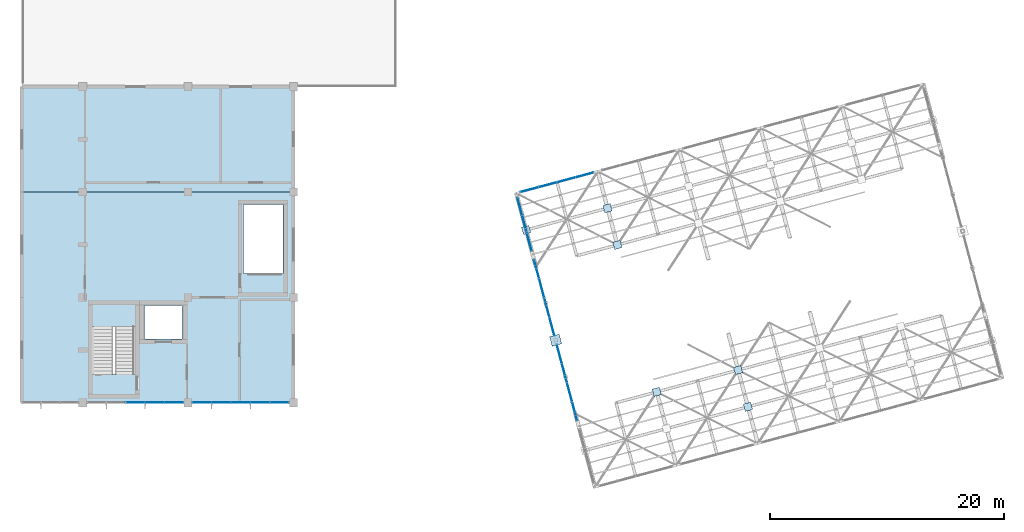
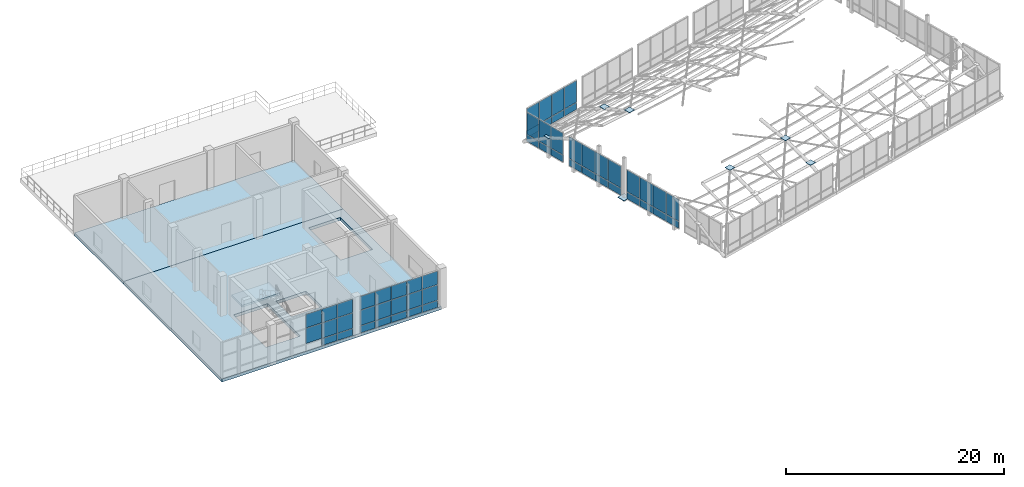
# One storey, part 23 of 29: 60 plates, 3 slabs, 7 elements without a shape of their own.
"""IFC4 building model written with IfcOpenShell, lengths in metres."""

from ifc_helpers import new_model, si_unit, direction, frame, origin, origin_2d, place, context, subcontext, project, spatial, polyline, rectangle, outline, extrude, material, layer, layer_set, type_object, element, aggregate, save


model = new_model("IFC4")

# Units and contexts
model_context = context("Model", 3, precision=1e-05, world=origin(), true_north=direction((0.0, 1.0)))
body_context = subcontext(model_context, "Body", "Model", "MODEL_VIEW")
ifc_project = project(units=[si_unit("LENGTHUNIT", "METRE"), si_unit("AREAUNIT", "SQUARE_METRE"), si_unit("VOLUMEUNIT", "CUBIC_METRE"), si_unit("PLANEANGLEUNIT", "RADIAN"), si_unit("MASSUNIT", "GRAM", prefix="KILO")], contexts=[model_context])

# Site, building, storey
site_placement = place(None, origin())
site = spatial("IfcSite", under=ifc_project, at=site_placement, CompositionType="ELEMENT")
building_placement = place(site_placement, origin())
building = spatial("IfcBuilding", under=site, at=building_placement, Name="Ventoquebrada Cableway Terminal", CompositionType="ELEMENT")
storey_placement = place(building_placement, frame((0.0, 0.0, 18.89990234375)))
storey = spatial("IfcBuildingStorey", under=building, at=storey_placement, Name="L04", CompositionType="ELEMENT", Elevation=18.89990234375)

# Plate
ifc_material_1 = material(Name="Steel ASTM A572 Grade 50", Category="steel")
ifc_layer_1 = layer(ifc_material_1, 0.050048828125)
ifc_layer_set_1 = layer_set([ifc_layer_1], Name="Steel ASTM A572 Grade 50")
plate_type_1 = type_object("IfcPlateType", Name="BP-PL01", PredefinedType="SHEET", material=ifc_layer_set_1)
plate_1_placement = place(storey_placement, frame((48.613037109375, 82.341064453125, 1.10009765625), z_axis=(0.0, 0.0, 1.0), x_axis=(0.965925826289, 0.258819045103, 0.0)))
element("IfcPlate", 1, at=plate_1_placement, inside=storey, type_object=plate_type_1, Name="Heavy steel base plate BP-01", PredefinedType="SHEET", context=body_context, shape_type="SweptSolid", body=[
    extrude(rectangle(XDim=0.85009765625, YDim=0.85009765625, at=origin_2d()), origin(), (0.0, 0.0, 1.0), 0.050048828125),
])

# Curtain wall, plates
ifc_material_2 = material(Name="Anodized thermally-broken aluminium", Category="aluminium")
ifc_layer_2 = layer(ifc_material_2, 0.159912109375)
ifc_layer_set_2 = layer_set([ifc_layer_2], Name="Anodized thermally-broken aluminium")
curtain_wall_type_1 = type_object("IfcCurtainWallType", Name="CW-T26", PredefinedType="USERDEFINED", material=ifc_layer_set_2)
curtain_wall_1_placement = place(storey_placement, origin())
curtain_wall_1 = element("IfcCurtainWall", 2, at=curtain_wall_1_placement, inside=storey, type_object=curtain_wall_type_1, Name="Unitised glazed curtain wall CW-061", ObjectType="UNITISED CURTAIN WALL", PredefinedType="USERDEFINED")
ifc_material_3 = material(Name="Double low-e laminated safety glazing", Category="glass")
ifc_layer_3 = layer(ifc_material_3, 0.031982421875)
ifc_layer_set_3 = layer_set([ifc_layer_3], Name="Double low-e laminated safety glazing")
plate_type_2 = type_object("IfcPlateType", Name="CWP-GL1", PredefinedType="CURTAIN_PANEL", material=ifc_layer_set_3)
plate_2_placement = place(storey_placement, frame((12.699951171875, 77.0, 2.626953125), z_axis=(0.0, 0.0, 1.0), x_axis=(1.0, 0.0, 0.0)))
plate_2 = element("IfcPlate", 3, at=plate_2_placement, type_object=plate_type_2, Name="Vision glazing panel PN-0611", PredefinedType="CURTAIN_PANEL", context=body_context, shape_type="SweptSolid", body=[
    extrude(rectangle(XDim=1.614013671875, YDim=0.031982421875, at=origin_2d()), origin(), (0.0, 0.0, 1.0), 1.498046875),
])
plate_3_placement = place(storey_placement, frame((14.35791015625, 77.0, 0.879638671875), z_axis=(0.0, 0.0, 1.0), x_axis=(1.0, 0.0, 0.0)))
plate_3 = element("IfcPlate", 4, at=plate_3_placement, type_object=plate_type_2, Name="Vision glazing panel PN-0613", PredefinedType="CURTAIN_PANEL", context=body_context, shape_type="SweptSolid", body=[
    extrude(rectangle(XDim=1.614013671875, YDim=0.031982421875, at=origin_2d()), origin(), (0.0, 0.0, 1.0), 1.68896484375),
])
plate_4_placement = place(storey_placement, frame((15.998046875, 77.0, 2.626953125), z_axis=(0.0, 0.0, 1.0), x_axis=(1.0, 0.0, 0.0)))
plate_4 = element("IfcPlate", 5, at=plate_4_placement, type_object=plate_type_2, Name="Vision glazing panel PN-0617", PredefinedType="CURTAIN_PANEL", context=body_context, shape_type="SweptSolid", body=[
    extrude(rectangle(XDim=1.5791015625, YDim=0.031982421875, at=origin_2d()), origin(), (0.0, 0.0, 1.0), 1.498046875),
])

curtain_wall_2_placement = place(storey_placement, origin())
curtain_wall_2 = element("IfcCurtainWall", 6, at=curtain_wall_2_placement, inside=storey, type_object=curtain_wall_type_1, Name="Unitised glazed curtain wall CW-062", ObjectType="UNITISED CURTAIN WALL", PredefinedType="USERDEFINED")
plate_5_placement = place(storey_placement, frame((18.40087890625, 77.0, 2.626953125), z_axis=(0.0, 0.0, 1.0), x_axis=(1.0, 0.0, 0.0)))
plate_5 = element("IfcPlate", 7, at=plate_5_placement, type_object=plate_type_2, Name="Vision glazing panel PN-0620", PredefinedType="CURTAIN_PANEL", context=body_context, shape_type="SweptSolid", body=[
    extrude(rectangle(XDim=1.5791015625, YDim=0.031982421875, at=origin_2d()), origin(), (0.0, 0.0, 1.0), 1.498046875),
])
plate_6_placement = place(storey_placement, frame((20.0419921875, 77.0, 0.879638671875), z_axis=(0.0, 0.0, 1.0), x_axis=(1.0, 0.0, 0.0)))
plate_6 = element("IfcPlate", 8, at=plate_6_placement, type_object=plate_type_2, Name="Vision glazing panel PN-0622", PredefinedType="CURTAIN_PANEL", context=body_context, shape_type="SweptSolid", body=[
    extrude(rectangle(XDim=1.614013671875, YDim=0.031982421875, at=origin_2d()), origin(), (0.0, 0.0, 1.0), 1.68896484375),
])
plate_7_placement = place(storey_placement, frame((21.699951171875, 77.0, 2.626953125), z_axis=(0.0, 0.0, 1.0), x_axis=(1.0, 0.0, 0.0)))
plate_7 = element("IfcPlate", 9, at=plate_7_placement, type_object=plate_type_2, Name="Vision glazing panel PN-0626", PredefinedType="CURTAIN_PANEL", context=body_context, shape_type="SweptSolid", body=[
    extrude(rectangle(XDim=1.614013671875, YDim=0.031982421875, at=origin_2d()), origin(), (0.0, 0.0, 1.0), 1.498046875),
])
plate_8_placement = place(storey_placement, frame((23.35791015625, 77.0, 0.879638671875), z_axis=(0.0, 0.0, 1.0), x_axis=(1.0, 0.0, 0.0)))
plate_8 = element("IfcPlate", 10, at=plate_8_placement, type_object=plate_type_2, Name="Vision glazing panel PN-0628", PredefinedType="CURTAIN_PANEL", context=body_context, shape_type="SweptSolid", body=[
    extrude(rectangle(XDim=1.614013671875, YDim=0.031982421875, at=origin_2d()), origin(), (0.0, 0.0, 1.0), 1.68896484375),
])
plate_9_placement = place(storey_placement, frame((24.998046875, 77.0, 2.626953125), z_axis=(0.0, 0.0, 1.0), x_axis=(1.0, 0.0, 0.0)))
plate_9 = element("IfcPlate", 11, at=plate_9_placement, type_object=plate_type_2, Name="Vision glazing panel PN-0632", PredefinedType="CURTAIN_PANEL", context=body_context, shape_type="SweptSolid", body=[
    extrude(rectangle(XDim=1.5791015625, YDim=0.031982421875, at=origin_2d()), origin(), (0.0, 0.0, 1.0), 1.498046875),
])

ifc_layer_4 = layer(ifc_material_2, 0.159912109375)
ifc_layer_set_4 = layer_set([ifc_layer_4], Name="Anodized thermally-broken aluminium")
curtain_wall_type_2 = type_object("IfcCurtainWallType", Name="CW-T45", PredefinedType="USERDEFINED", material=ifc_layer_set_4)
curtain_wall_3_placement = place(storey_placement, origin())
curtain_wall_3 = element("IfcCurtainWall", 12, at=curtain_wall_3_placement, inside=storey, type_object=curtain_wall_type_2, Name="Unitised glazed curtain wall CW-138", ObjectType="UNITISED CURTAIN WALL", PredefinedType="USERDEFINED")
plate_10_placement = place(storey_placement, frame((49.510986328125, 96.0400390625, 1.97412109375), z_axis=(0.0, 0.0, 1.0), x_axis=(-0.96593486019, -0.258785327773, 0.0)))
plate_10 = element("IfcPlate", 13, at=plate_10_placement, type_object=plate_type_2, Name="Vision glazing panel PN-1450", PredefinedType="CURTAIN_PANEL", context=body_context, shape_type="SweptSolid", body=[
    extrude(rectangle(XDim=1.5810546875, YDim=0.031982421875, at=origin_2d()), origin(), (0.0, 0.0, 1.0), 2.416015625),
])
plate_11_placement = place(storey_placement, frame((46.388916015625, 95.2041015625, 1.97412109375), z_axis=(0.0, 0.0, 1.0), x_axis=(-0.96593486019, -0.258785327773, 0.0)))
plate_11 = element("IfcPlate", 14, at=plate_11_placement, type_object=plate_type_2, Name="Vision glazing panel PN-1454", PredefinedType="CURTAIN_PANEL", context=body_context, shape_type="SweptSolid", body=[
    extrude(rectangle(XDim=1.5458984375, YDim=0.031982421875, at=origin_2d()), origin(), (0.0, 0.0, 1.0), 2.416015625),
])

ifc_layer_5 = layer(ifc_material_2, 0.159912109375)
ifc_layer_set_5 = layer_set([ifc_layer_5], Name="Anodized thermally-broken aluminium")
curtain_wall_type_3 = type_object("IfcCurtainWallType", Name="CW-T47", PredefinedType="USERDEFINED", material=ifc_layer_set_5)
curtain_wall_4_placement = place(storey_placement, origin())
curtain_wall_4 = element("IfcCurtainWall", 15, at=curtain_wall_4_placement, inside=storey, type_object=curtain_wall_type_3, Name="Unitised glazed curtain wall CW-144", ObjectType="UNITISED CURTAIN WALL", PredefinedType="USERDEFINED")
plate_12_placement = place(storey_placement, frame((49.364013671875, 79.5400390625, 1.97412109375), z_axis=(0.0, 0.0, 1.0), x_axis=(0.258835903649, -0.965921308897, 0.0)))
plate_12 = element("IfcPlate", 16, at=plate_12_placement, type_object=plate_type_2, Name="Vision glazing panel PN-1496", PredefinedType="CURTAIN_PANEL", context=body_context, shape_type="SweptSolid", body=[
    extrude(rectangle(XDim=1.656005859375, YDim=0.031982421875, at=origin_2d()), origin(), (0.0, 0.0, 1.0), 2.416015625),
])
plate_13_placement = place(storey_placement, frame((50.239013671875, 76.27294921875, 1.97412109375), z_axis=(0.0, 0.0, 1.0), x_axis=(0.258835903649, -0.965921308897, 0.0)))
plate_13 = element("IfcPlate", 17, at=plate_13_placement, type_object=plate_type_2, Name="Vision glazing panel PN-1500", PredefinedType="CURTAIN_PANEL", context=body_context, shape_type="SweptSolid", body=[
    extrude(rectangle(XDim=1.62109375, YDim=0.031982421875, at=origin_2d()), origin(), (0.0, 0.0, 1.0), 2.416015625),
])

curtain_wall_5_placement = place(storey_placement, origin())
curtain_wall_5 = element("IfcCurtainWall", 18, at=curtain_wall_5_placement, inside=storey, type_object=curtain_wall_type_3, Name="Unitised glazed curtain wall CW-145", ObjectType="UNITISED CURTAIN WALL", PredefinedType="USERDEFINED")
plate_14_placement = place(storey_placement, frame((47.423095703125, 86.784912109375, 1.97412109375), z_axis=(0.0, 0.0, 1.0), x_axis=(0.258802186477, -0.965930343386, 0.0)))
plate_14 = element("IfcPlate", 19, at=plate_14_placement, type_object=plate_type_2, Name="Vision glazing panel PN-1504", PredefinedType="CURTAIN_PANEL", context=body_context, shape_type="SweptSolid", body=[
    extrude(rectangle(XDim=1.656005859375, YDim=0.031982421875, at=origin_2d()), origin(), (0.0, 0.0, 1.0), 2.416015625),
])
plate_15_placement = place(storey_placement, frame((48.298095703125, 83.51708984375, 1.97412109375), z_axis=(0.0, 0.0, 1.0), x_axis=(0.258802186477, -0.965930343386, 0.0)))
plate_15 = element("IfcPlate", 20, at=plate_15_placement, type_object=plate_type_2, Name="Vision glazing panel PN-1508", PredefinedType="CURTAIN_PANEL", context=body_context, shape_type="SweptSolid", body=[
    extrude(rectangle(XDim=1.62109375, YDim=0.031982421875, at=origin_2d()), origin(), (0.0, 0.0, 1.0), 2.416015625),
])

# Curtain wall, plate
ifc_layer_6 = layer(ifc_material_2, 0.159912109375)
ifc_layer_set_6 = layer_set([ifc_layer_6], Name="Anodized thermally-broken aluminium")
curtain_wall_type_4 = type_object("IfcCurtainWallType", Name="CW-T46", PredefinedType="USERDEFINED", material=ifc_layer_set_6)
curtain_wall_6_placement = place(storey_placement, origin())
curtain_wall_6 = element("IfcCurtainWall", 21, at=curtain_wall_6_placement, inside=storey, type_object=curtain_wall_type_4, Name="Unitised glazed curtain wall CW-146", ObjectType="UNITISED CURTAIN WALL", PredefinedType="USERDEFINED")
plate_16_placement = place(storey_placement, frame((45.9599609375, 92.241943359375, 1.97412109375), z_axis=(0.0, 0.0, 1.0), x_axis=(0.258970769183, -0.965885159172, 0.0)))
plate_16 = element("IfcPlate", 22, at=plate_16_placement, type_object=plate_type_2, Name="Vision glazing panel PN-1512", PredefinedType="CURTAIN_PANEL", context=body_context, shape_type="SweptSolid", body=[
    extrude(rectangle(XDim=1.555908203125, YDim=0.031982421875, at=origin_2d()), origin(), (0.0, 0.0, 1.0), 2.416015625),
])

# Plate
ifc_layer_7 = layer(ifc_material_3, 0.0380859375)
ifc_layer_set_7 = layer_set([ifc_layer_7], Name="Double low-e laminated safety glazing")
plate_type_3 = type_object("IfcPlateType", Name="CWP-GL2", PredefinedType="CURTAIN_PANEL", material=ifc_layer_set_7)
plate_17_placement = place(storey_placement, frame((12.699951171875, 77.0, 0.879638671875), z_axis=(0.0, 0.0, 1.0), x_axis=(1.0, 0.0, 0.0)))
plate_17 = element("IfcPlate", 23, at=plate_17_placement, type_object=plate_type_3, Name="Vision glazing panel PN-0610", PredefinedType="CURTAIN_PANEL", context=body_context, shape_type="SweptSolid", body=[
    extrude(rectangle(XDim=1.614013671875, YDim=0.0380859375, at=origin_2d()), origin(), (0.0, 0.0, 1.0), 1.68896484375),
])

plate_18_placement = place(storey_placement, frame((14.35791015625, 77.0, 2.626953125), z_axis=(0.0, 0.0, 1.0), x_axis=(1.0, 0.0, 0.0)))
plate_18 = element("IfcPlate", 24, at=plate_18_placement, type_object=plate_type_3, Name="Vision glazing panel PN-0614", PredefinedType="CURTAIN_PANEL", context=body_context, shape_type="SweptSolid", body=[
    extrude(rectangle(XDim=1.614013671875, YDim=0.0380859375, at=origin_2d()), origin(), (0.0, 0.0, 1.0), 1.498046875),
])

plate_19_placement = place(storey_placement, frame((15.998046875, 77.0, 0.879638671875), z_axis=(0.0, 0.0, 1.0), x_axis=(1.0, 0.0, 0.0)))
plate_19 = element("IfcPlate", 25, at=plate_19_placement, type_object=plate_type_3, Name="Vision glazing panel PN-0616", PredefinedType="CURTAIN_PANEL", context=body_context, shape_type="SweptSolid", body=[
    extrude(rectangle(XDim=1.5791015625, YDim=0.0380859375, at=origin_2d()), origin(), (0.0, 0.0, 1.0), 1.68896484375),
])

plate_20_placement = place(storey_placement, frame((18.40087890625, 77.0, 0.879638671875), z_axis=(0.0, 0.0, 1.0), x_axis=(1.0, 0.0, 0.0)))
plate_20 = element("IfcPlate", 26, at=plate_20_placement, type_object=plate_type_3, Name="Vision glazing panel PN-0619", PredefinedType="CURTAIN_PANEL", context=body_context, shape_type="SweptSolid", body=[
    extrude(rectangle(XDim=1.5791015625, YDim=0.0380859375, at=origin_2d()), origin(), (0.0, 0.0, 1.0), 1.68896484375),
])

plate_21_placement = place(storey_placement, frame((20.0419921875, 77.0, 2.626953125), z_axis=(0.0, 0.0, 1.0), x_axis=(1.0, 0.0, 0.0)))
plate_21 = element("IfcPlate", 27, at=plate_21_placement, type_object=plate_type_3, Name="Vision glazing panel PN-0623", PredefinedType="CURTAIN_PANEL", context=body_context, shape_type="SweptSolid", body=[
    extrude(rectangle(XDim=1.614013671875, YDim=0.0380859375, at=origin_2d()), origin(), (0.0, 0.0, 1.0), 1.498046875),
])

plate_22_placement = place(storey_placement, frame((21.699951171875, 77.0, 0.879638671875), z_axis=(0.0, 0.0, 1.0), x_axis=(1.0, 0.0, 0.0)))
plate_22 = element("IfcPlate", 28, at=plate_22_placement, type_object=plate_type_3, Name="Vision glazing panel PN-0625", PredefinedType="CURTAIN_PANEL", context=body_context, shape_type="SweptSolid", body=[
    extrude(rectangle(XDim=1.614013671875, YDim=0.0380859375, at=origin_2d()), origin(), (0.0, 0.0, 1.0), 1.68896484375),
])

plate_23_placement = place(storey_placement, frame((23.35791015625, 77.0, 2.626953125), z_axis=(0.0, 0.0, 1.0), x_axis=(1.0, 0.0, 0.0)))
plate_23 = element("IfcPlate", 29, at=plate_23_placement, type_object=plate_type_3, Name="Vision glazing panel PN-0629", PredefinedType="CURTAIN_PANEL", context=body_context, shape_type="SweptSolid", body=[
    extrude(rectangle(XDim=1.614013671875, YDim=0.0380859375, at=origin_2d()), origin(), (0.0, 0.0, 1.0), 1.498046875),
])

plate_24_placement = place(storey_placement, frame((24.998046875, 77.0, 0.879638671875), z_axis=(0.0, 0.0, 1.0), x_axis=(1.0, 0.0, 0.0)))
plate_24 = element("IfcPlate", 30, at=plate_24_placement, type_object=plate_type_3, Name="Vision glazing panel PN-0631", PredefinedType="CURTAIN_PANEL", context=body_context, shape_type="SweptSolid", body=[
    extrude(rectangle(XDim=1.5791015625, YDim=0.0380859375, at=origin_2d()), origin(), (0.0, 0.0, 1.0), 1.68896484375),
])

plate_25_placement = place(storey_placement, frame((51.06396484375, 96.4560546875, 1.97412109375), z_axis=(0.0, 0.0, 1.0), x_axis=(-0.96593486019, -0.258785327773, 0.0)))
plate_25 = element("IfcPlate", 31, at=plate_25_placement, type_object=plate_type_3, Name="Vision glazing panel PN-1448", PredefinedType="CURTAIN_PANEL", context=body_context, shape_type="SweptSolid", body=[
    extrude(rectangle(XDim=1.5458984375, YDim=0.0380859375, at=origin_2d()), origin(), (0.0, 0.0, 1.0), 2.416015625),
])

plate_26_placement = place(storey_placement, frame((47.94091796875, 95.6201171875, 1.97412109375), z_axis=(0.0, 0.0, 1.0), x_axis=(-0.96593486019, -0.258785327773, 0.0)))
plate_26 = element("IfcPlate", 32, at=plate_26_placement, type_object=plate_type_3, Name="Vision glazing panel PN-1452", PredefinedType="CURTAIN_PANEL", context=body_context, shape_type="SweptSolid", body=[
    extrude(rectangle(XDim=1.5810546875, YDim=0.0380859375, at=origin_2d()), origin(), (0.0, 0.0, 1.0), 2.416015625),
])

plate_27_placement = place(storey_placement, frame((48.928955078125, 81.1650390625, 1.97412109375), z_axis=(0.0, 0.0, 1.0), x_axis=(0.258835903649, -0.965921308897, 0.0)))
plate_27 = element("IfcPlate", 33, at=plate_27_placement, type_object=plate_type_3, Name="Vision glazing panel PN-1494", PredefinedType="CURTAIN_PANEL", context=body_context, shape_type="SweptSolid", body=[
    extrude(rectangle(XDim=1.62109375, YDim=0.0380859375, at=origin_2d()), origin(), (0.0, 0.0, 1.0), 2.416015625),
])

plate_28_placement = place(storey_placement, frame((49.803955078125, 77.89794921875, 1.97412109375), z_axis=(0.0, 0.0, 1.0), x_axis=(0.258835903649, -0.965921308897, 0.0)))
plate_28 = element("IfcPlate", 34, at=plate_28_placement, type_object=plate_type_3, Name="Vision glazing panel PN-1498", PredefinedType="CURTAIN_PANEL", context=body_context, shape_type="SweptSolid", body=[
    extrude(rectangle(XDim=1.656005859375, YDim=0.0380859375, at=origin_2d()), origin(), (0.0, 0.0, 1.0), 2.416015625),
])

plate_29_placement = place(storey_placement, frame((46.988037109375, 88.409912109375, 1.97412109375), z_axis=(0.0, 0.0, 1.0), x_axis=(0.258802186477, -0.965930343386, 0.0)))
plate_29 = element("IfcPlate", 35, at=plate_29_placement, type_object=plate_type_3, Name="Vision glazing panel PN-1502", PredefinedType="CURTAIN_PANEL", context=body_context, shape_type="SweptSolid", body=[
    extrude(rectangle(XDim=1.62109375, YDim=0.0380859375, at=origin_2d()), origin(), (0.0, 0.0, 1.0), 2.416015625),
])

plate_30_placement = place(storey_placement, frame((47.863037109375, 85.14208984375, 1.97412109375), z_axis=(0.0, 0.0, 1.0), x_axis=(0.258802186477, -0.965930343386, 0.0)))
plate_30 = element("IfcPlate", 36, at=plate_30_placement, type_object=plate_type_3, Name="Vision glazing panel PN-1506", PredefinedType="CURTAIN_PANEL", context=body_context, shape_type="SweptSolid", body=[
    extrude(rectangle(XDim=1.656005859375, YDim=0.0380859375, at=origin_2d()), origin(), (0.0, 0.0, 1.0), 2.416015625),
])

plate_31_placement = place(storey_placement, frame((45.551025390625, 93.77001953125, 1.97412109375), z_axis=(0.0, 0.0, 1.0), x_axis=(0.258970769183, -0.965885159172, 0.0)))
plate_31 = element("IfcPlate", 37, at=plate_31_placement, type_object=plate_type_3, Name="Vision glazing panel PN-1510", PredefinedType="CURTAIN_PANEL", context=body_context, shape_type="SweptSolid", body=[
    extrude(rectangle(XDim=1.52099609375, YDim=0.0380859375, at=origin_2d()), origin(), (0.0, 0.0, 1.0), 2.416015625),
])

plate_32_placement = place(storey_placement, frame((46.3701171875, 90.712890625, 1.97412109375), z_axis=(0.0, 0.0, 1.0), x_axis=(0.258970769183, -0.965885159172, 0.0)))
plate_32 = element("IfcPlate", 38, at=plate_32_placement, type_object=plate_type_3, Name="Vision glazing panel PN-1514", PredefinedType="CURTAIN_PANEL", context=body_context, shape_type="SweptSolid", body=[
    extrude(rectangle(XDim=1.52099609375, YDim=0.0380859375, at=origin_2d()), origin(), (0.0, 0.0, 1.0), 2.416015625),
])

ifc_material_4 = material(Name="Insulated aluminium spandrel cassette", Category="aluminium")
ifc_layer_8 = layer(ifc_material_4, 0.044921875)
ifc_layer_set_8 = layer_set([ifc_layer_8], Name="Insulated aluminium spandrel cassette")
plate_type_4 = type_object("IfcPlateType", Name="CWP-SP1", PredefinedType="CURTAIN_PANEL", material=ifc_layer_set_8)
plate_33_placement = place(storey_placement, frame((14.35791015625, 77.0, 0.06494140625), z_axis=(0.0, 0.0, 1.0), x_axis=(1.0, 0.0, 0.0)))
plate_33 = element("IfcPlate", 39, at=plate_33_placement, type_object=plate_type_4, Name="Insulated spandrel panel PN-0612", PredefinedType="CURTAIN_PANEL", context=body_context, shape_type="SweptSolid", body=[
    extrude(rectangle(XDim=1.614013671875, YDim=0.044921875, at=origin_2d()), origin(), (0.0, 0.0, 1.0), 0.756103515625),
])

plate_34_placement = place(storey_placement, frame((15.998046875, 77.0, 0.06494140625), z_axis=(0.0, 0.0, 1.0), x_axis=(1.0, 0.0, 0.0)))
plate_34 = element("IfcPlate", 40, at=plate_34_placement, type_object=plate_type_4, Name="Insulated spandrel panel PN-0615", PredefinedType="CURTAIN_PANEL", context=body_context, shape_type="SweptSolid", body=[
    extrude(rectangle(XDim=1.5791015625, YDim=0.044921875, at=origin_2d()), origin(), (0.0, 0.0, 1.0), 0.756103515625),
])

aggregate(curtain_wall_1, [plate_17, plate_2, plate_33, plate_3, plate_18, plate_34, plate_19, plate_4])

plate_35_placement = place(storey_placement, frame((18.40087890625, 77.0, 0.06494140625), z_axis=(0.0, 0.0, 1.0), x_axis=(1.0, 0.0, 0.0)))
plate_35 = element("IfcPlate", 41, at=plate_35_placement, type_object=plate_type_4, Name="Insulated spandrel panel PN-0618", PredefinedType="CURTAIN_PANEL", context=body_context, shape_type="SweptSolid", body=[
    extrude(rectangle(XDim=1.5791015625, YDim=0.044921875, at=origin_2d()), origin(), (0.0, 0.0, 1.0), 0.756103515625),
])

plate_36_placement = place(storey_placement, frame((20.0419921875, 77.0, 0.06494140625), z_axis=(0.0, 0.0, 1.0), x_axis=(1.0, 0.0, 0.0)))
plate_36 = element("IfcPlate", 42, at=plate_36_placement, type_object=plate_type_4, Name="Insulated spandrel panel PN-0621", PredefinedType="CURTAIN_PANEL", context=body_context, shape_type="SweptSolid", body=[
    extrude(rectangle(XDim=1.614013671875, YDim=0.044921875, at=origin_2d()), origin(), (0.0, 0.0, 1.0), 0.756103515625),
])

plate_37_placement = place(storey_placement, frame((21.699951171875, 77.0, 0.06494140625), z_axis=(0.0, 0.0, 1.0), x_axis=(1.0, 0.0, 0.0)))
plate_37 = element("IfcPlate", 43, at=plate_37_placement, type_object=plate_type_4, Name="Insulated spandrel panel PN-0624", PredefinedType="CURTAIN_PANEL", context=body_context, shape_type="SweptSolid", body=[
    extrude(rectangle(XDim=1.614013671875, YDim=0.044921875, at=origin_2d()), origin(), (0.0, 0.0, 1.0), 0.756103515625),
])

plate_38_placement = place(storey_placement, frame((23.35791015625, 77.0, 0.06494140625), z_axis=(0.0, 0.0, 1.0), x_axis=(1.0, 0.0, 0.0)))
plate_38 = element("IfcPlate", 44, at=plate_38_placement, type_object=plate_type_4, Name="Insulated spandrel panel PN-0627", PredefinedType="CURTAIN_PANEL", context=body_context, shape_type="SweptSolid", body=[
    extrude(rectangle(XDim=1.614013671875, YDim=0.044921875, at=origin_2d()), origin(), (0.0, 0.0, 1.0), 0.756103515625),
])

plate_39_placement = place(storey_placement, frame((24.998046875, 77.0, 0.06494140625), z_axis=(0.0, 0.0, 1.0), x_axis=(1.0, 0.0, 0.0)))
plate_39 = element("IfcPlate", 45, at=plate_39_placement, type_object=plate_type_4, Name="Insulated spandrel panel PN-0630", PredefinedType="CURTAIN_PANEL", context=body_context, shape_type="SweptSolid", body=[
    extrude(rectangle(XDim=1.5791015625, YDim=0.044921875, at=origin_2d()), origin(), (0.0, 0.0, 1.0), 0.756103515625),
])

aggregate(curtain_wall_2, [plate_35, plate_20, plate_5, plate_36, plate_6, plate_21, plate_37, plate_22, plate_7, plate_38, plate_8, plate_23, plate_39, plate_24, plate_9])

plate_40_placement = place(storey_placement, frame((51.06396484375, 96.4560546875, 1.16015625), z_axis=(0.0, 0.0, 1.0), x_axis=(-0.96593486019, -0.258785327773, 0.0)))
plate_40 = element("IfcPlate", 46, at=plate_40_placement, type_object=plate_type_4, Name="Insulated spandrel panel PN-1447", PredefinedType="CURTAIN_PANEL", context=body_context, shape_type="SweptSolid", body=[
    extrude(rectangle(XDim=1.5458984375, YDim=0.044921875, at=origin_2d()), origin(), (0.0, 0.0, 1.0), 0.756103515625),
])

plate_41_placement = place(storey_placement, frame((49.510986328125, 96.0400390625, 1.16015625), z_axis=(0.0, 0.0, 1.0), x_axis=(-0.96593486019, -0.258785327773, 0.0)))
plate_41 = element("IfcPlate", 47, at=plate_41_placement, type_object=plate_type_4, Name="Insulated spandrel panel PN-1449", PredefinedType="CURTAIN_PANEL", context=body_context, shape_type="SweptSolid", body=[
    extrude(rectangle(XDim=1.5810546875, YDim=0.044921875, at=origin_2d()), origin(), (0.0, 0.0, 1.0), 0.756103515625),
])

plate_42_placement = place(storey_placement, frame((47.94091796875, 95.6201171875, 1.16015625), z_axis=(0.0, 0.0, 1.0), x_axis=(-0.96593486019, -0.258785327773, 0.0)))
plate_42 = element("IfcPlate", 48, at=plate_42_placement, type_object=plate_type_4, Name="Insulated spandrel panel PN-1451", PredefinedType="CURTAIN_PANEL", context=body_context, shape_type="SweptSolid", body=[
    extrude(rectangle(XDim=1.5810546875, YDim=0.044921875, at=origin_2d()), origin(), (0.0, 0.0, 1.0), 0.756103515625),
])

plate_43_placement = place(storey_placement, frame((46.388916015625, 95.2041015625, 1.16015625), z_axis=(0.0, 0.0, 1.0), x_axis=(-0.96593486019, -0.258785327773, 0.0)))
plate_43 = element("IfcPlate", 49, at=plate_43_placement, type_object=plate_type_4, Name="Insulated spandrel panel PN-1453", PredefinedType="CURTAIN_PANEL", context=body_context, shape_type="SweptSolid", body=[
    extrude(rectangle(XDim=1.5458984375, YDim=0.044921875, at=origin_2d()), origin(), (0.0, 0.0, 1.0), 0.756103515625),
])

aggregate(curtain_wall_3, [plate_40, plate_25, plate_41, plate_10, plate_42, plate_26, plate_43, plate_11])

plate_44_placement = place(storey_placement, frame((48.928955078125, 81.1650390625, 1.16015625), z_axis=(0.0, 0.0, 1.0), x_axis=(0.258835903649, -0.965921308897, 0.0)))
plate_44 = element("IfcPlate", 50, at=plate_44_placement, type_object=plate_type_4, Name="Insulated spandrel panel PN-1493", PredefinedType="CURTAIN_PANEL", context=body_context, shape_type="SweptSolid", body=[
    extrude(rectangle(XDim=1.62109375, YDim=0.044921875, at=origin_2d()), origin(), (0.0, 0.0, 1.0), 0.756103515625),
])

plate_45_placement = place(storey_placement, frame((49.364013671875, 79.5400390625, 1.16015625), z_axis=(0.0, 0.0, 1.0), x_axis=(0.258835903649, -0.965921308897, 0.0)))
plate_45 = element("IfcPlate", 51, at=plate_45_placement, type_object=plate_type_4, Name="Insulated spandrel panel PN-1495", PredefinedType="CURTAIN_PANEL", context=body_context, shape_type="SweptSolid", body=[
    extrude(rectangle(XDim=1.656005859375, YDim=0.044921875, at=origin_2d()), origin(), (0.0, 0.0, 1.0), 0.756103515625),
])

plate_46_placement = place(storey_placement, frame((49.803955078125, 77.89794921875, 1.16015625), z_axis=(0.0, 0.0, 1.0), x_axis=(0.258835903649, -0.965921308897, 0.0)))
plate_46 = element("IfcPlate", 52, at=plate_46_placement, type_object=plate_type_4, Name="Insulated spandrel panel PN-1497", PredefinedType="CURTAIN_PANEL", context=body_context, shape_type="SweptSolid", body=[
    extrude(rectangle(XDim=1.656005859375, YDim=0.044921875, at=origin_2d()), origin(), (0.0, 0.0, 1.0), 0.756103515625),
])

plate_47_placement = place(storey_placement, frame((50.239013671875, 76.27294921875, 1.16015625), z_axis=(0.0, 0.0, 1.0), x_axis=(0.258835903649, -0.965921308897, 0.0)))
plate_47 = element("IfcPlate", 53, at=plate_47_placement, type_object=plate_type_4, Name="Insulated spandrel panel PN-1499", PredefinedType="CURTAIN_PANEL", context=body_context, shape_type="SweptSolid", body=[
    extrude(rectangle(XDim=1.62109375, YDim=0.044921875, at=origin_2d()), origin(), (0.0, 0.0, 1.0), 0.756103515625),
])

aggregate(curtain_wall_4, [plate_44, plate_27, plate_45, plate_12, plate_46, plate_28, plate_47, plate_13])

plate_48_placement = place(storey_placement, frame((46.988037109375, 88.409912109375, 1.16015625), z_axis=(0.0, 0.0, 1.0), x_axis=(0.258802186477, -0.965930343386, 0.0)))
plate_48 = element("IfcPlate", 54, at=plate_48_placement, type_object=plate_type_4, Name="Insulated spandrel panel PN-1501", PredefinedType="CURTAIN_PANEL", context=body_context, shape_type="SweptSolid", body=[
    extrude(rectangle(XDim=1.62109375, YDim=0.044921875, at=origin_2d()), origin(), (0.0, 0.0, 1.0), 0.756103515625),
])

plate_49_placement = place(storey_placement, frame((47.423095703125, 86.784912109375, 1.16015625), z_axis=(0.0, 0.0, 1.0), x_axis=(0.258802186477, -0.965930343386, 0.0)))
plate_49 = element("IfcPlate", 55, at=plate_49_placement, type_object=plate_type_4, Name="Insulated spandrel panel PN-1503", PredefinedType="CURTAIN_PANEL", context=body_context, shape_type="SweptSolid", body=[
    extrude(rectangle(XDim=1.656005859375, YDim=0.044921875, at=origin_2d()), origin(), (0.0, 0.0, 1.0), 0.756103515625),
])

plate_50_placement = place(storey_placement, frame((47.863037109375, 85.14208984375, 1.16015625), z_axis=(0.0, 0.0, 1.0), x_axis=(0.258802186477, -0.965930343386, 0.0)))
plate_50 = element("IfcPlate", 56, at=plate_50_placement, type_object=plate_type_4, Name="Insulated spandrel panel PN-1505", PredefinedType="CURTAIN_PANEL", context=body_context, shape_type="SweptSolid", body=[
    extrude(rectangle(XDim=1.656005859375, YDim=0.044921875, at=origin_2d()), origin(), (0.0, 0.0, 1.0), 0.756103515625),
])

plate_51_placement = place(storey_placement, frame((48.298095703125, 83.51708984375, 1.16015625), z_axis=(0.0, 0.0, 1.0), x_axis=(0.258802186477, -0.965930343386, 0.0)))
plate_51 = element("IfcPlate", 57, at=plate_51_placement, type_object=plate_type_4, Name="Insulated spandrel panel PN-1507", PredefinedType="CURTAIN_PANEL", context=body_context, shape_type="SweptSolid", body=[
    extrude(rectangle(XDim=1.62109375, YDim=0.044921875, at=origin_2d()), origin(), (0.0, 0.0, 1.0), 0.756103515625),
])

aggregate(curtain_wall_5, [plate_48, plate_29, plate_49, plate_14, plate_50, plate_30, plate_51, plate_15])

plate_52_placement = place(storey_placement, frame((45.551025390625, 93.77001953125, 1.16015625), z_axis=(0.0, 0.0, 1.0), x_axis=(0.258970769183, -0.965885159172, 0.0)))
plate_52 = element("IfcPlate", 58, at=plate_52_placement, type_object=plate_type_4, Name="Insulated spandrel panel PN-1509", PredefinedType="CURTAIN_PANEL", context=body_context, shape_type="SweptSolid", body=[
    extrude(rectangle(XDim=1.52099609375, YDim=0.044921875, at=origin_2d()), origin(), (0.0, 0.0, 1.0), 0.756103515625),
])

plate_53_placement = place(storey_placement, frame((45.9599609375, 92.241943359375, 1.16015625), z_axis=(0.0, 0.0, 1.0), x_axis=(0.258970769183, -0.965885159172, 0.0)))
plate_53 = element("IfcPlate", 59, at=plate_53_placement, type_object=plate_type_4, Name="Insulated spandrel panel PN-1511", PredefinedType="CURTAIN_PANEL", context=body_context, shape_type="SweptSolid", body=[
    extrude(rectangle(XDim=1.555908203125, YDim=0.044921875, at=origin_2d()), origin(), (0.0, 0.0, 1.0), 0.756103515625),
])

plate_54_placement = place(storey_placement, frame((46.3701171875, 90.712890625, 1.16015625), z_axis=(0.0, 0.0, 1.0), x_axis=(0.258970769183, -0.965885159172, 0.0)))
plate_54 = element("IfcPlate", 60, at=plate_54_placement, type_object=plate_type_4, Name="Insulated spandrel panel PN-1513", PredefinedType="CURTAIN_PANEL", context=body_context, shape_type="SweptSolid", body=[
    extrude(rectangle(XDim=1.52099609375, YDim=0.044921875, at=origin_2d()), origin(), (0.0, 0.0, 1.0), 0.756103515625),
])

aggregate(curtain_wall_6, [plate_52, plate_31, plate_53, plate_16, plate_54, plate_32])

# Plates
ifc_layer_9 = layer(ifc_material_1, 0.030029296875)
ifc_layer_set_9 = layer_set([ifc_layer_9], Name="Steel ASTM A572 Grade 50")
plate_type_5 = type_object("IfcPlateType", Name="ND-PL01", PredefinedType="SHEET", material=ifc_layer_set_9)
for number, where, z_axis, x_axis, name in (
    (61, (46.090087890625, 91.759033203125, 3.14208984375), (0.0, 0.0, 1.0), (0.965925826289, 0.258819045103, 0.0), "Gridshell welded node cap plate ND-007"),
    (62, (57.25, 77.926025390625, 4.0869140625), (0.0, 0.0, 1.0), (0.965925826289, 0.258819045103, 0.0), "Gridshell welded node cap plate ND-009"),
    (63, (53.885986328125, 90.48291015625, 4.0869140625), (0.0, 0.0, 1.0), (0.965925826289, 0.258819045103, 0.0), "Gridshell welded node cap plate ND-013"),
    (64, (53.044921875, 93.623046875, 2.83984375), (0.0, 0.0, 1.0), (0.965925826289, 0.258819045103, 0.0), "Gridshell welded node cap plate ND-014"),
    (65, (65.0458984375, 76.64990234375, 2.68896484375), (0.0, 0.0, 1.0), (0.965925826289, 0.258819045103, 0.0), "Gridshell welded node cap plate ND-015"),
    (66, (64.205078125, 79.7900390625, 3.8271484375), (0.0, 0.0, 1.0), (0.965925826289, 0.258819045103, 0.0), "Gridshell welded node cap plate ND-016"),
):
    element("IfcPlate", number, at=place(storey_placement, frame(where, z_axis=z_axis, x_axis=x_axis)), inside=storey, type_object=plate_type_5, Name=name, PredefinedType="SHEET", context=body_context, shape_type="SweptSolid", body=[
        extrude(rectangle(XDim=0.64990234375, YDim=0.64990234375, at=origin_2d()), origin(), (0.0, 0.0, 1.0), 0.030029296875),
    ])

# Slabs
ifc_material_5 = material(Name="Concrete C40/50", Category="concrete")
ifc_layer_10 = layer(ifc_material_5, 0.3349609375)
ifc_layer_set_10 = layer_set([ifc_layer_10], Name="Concrete C40/50")
slab_type_1 = type_object("IfcSlabType", Name="SL-FL3", PredefinedType="FLOOR", material=ifc_layer_set_10)
slab_1_placement = place(storey_placement, frame((0.0, 0.0, -0.3349609375)))
element("IfcSlab", 67, at=slab_1_placement, inside=storey, type_object=slab_type_1, Name="Reinforced concrete floor slab SL-031", PredefinedType="FLOOR", context=body_context, shape_type="SweptSolid", body=[
    extrude(outline(polyline([(3.0, 95.0), (3.0, 77.0), (26.199951171875, 77.0), (26.199951171875, 95.0), (3.0, 95.0)]), holes=[polyline([(9.050048828125, 85.35009765625), (12.64990234375, 85.35009765625), (12.64990234375, 79.389892578125), (9.050048828125, 79.389892578125), (9.050048828125, 85.35009765625)]), polyline([(16.699951171875, 85.300048828125), (16.699951171875, 82.449951171875), (13.5, 82.449951171875), (13.5, 85.300048828125), (16.699951171875, 85.300048828125)]), polyline([(25.300048828125, 88.0400390625), (21.949951171875, 88.0400390625), (21.949951171875, 93.949951171875), (25.300048828125, 93.949951171875), (25.300048828125, 88.0400390625)])]), origin(), (0.0, 0.0, 1.0), 0.3349609375),
])
slab_2_placement = place(storey_placement, frame((0.0, 0.0, -0.3349609375)))
element("IfcSlab", 68, at=slab_2_placement, inside=storey, type_object=slab_type_1, Name="Reinforced concrete floor slab SL-032", PredefinedType="FLOOR", context=body_context, shape_type="SweptSolid", body=[
    extrude(outline(polyline([(26.199951171875, 95.0), (26.199951171875, 104.0), (3.0, 104.0), (3.0, 95.0), (26.199951171875, 95.0)])), origin(), (0.0, 0.0, 1.0), 0.3349609375),
])

# Stair, slab
stair_type = type_object("IfcStairType", Name="ST-T01", PredefinedType="HALF_TURN_STAIR", material=ifc_material_5)
stair_placement = place(storey_placement, origin())
stair = element("IfcStair", 69, at=stair_placement, inside=storey, type_object=stair_type, Name="Protected half-turn stair ST-19", PredefinedType="HALF_TURN_STAIR")
ifc_layer_11 = layer(ifc_material_5, 0.219970703125)
ifc_layer_set_11 = layer_set([ifc_layer_11], Name="Concrete C40/50")
slab_type_2 = type_object("IfcSlabType", Name="SL-LD1", PredefinedType="LANDING", material=ifc_layer_set_11)
slab_3_placement = place(storey_placement, frame((0.0, 0.0, 2.030029296875)))
slab_3 = element("IfcSlab", 70, at=slab_3_placement, type_object=slab_type_2, Name="Intermediate stair landing LDG-019", PredefinedType="LANDING", context=body_context, shape_type="SweptSolid", body=[
    extrude(outline(polyline([(12.860107421875, 83.489990234375), (12.860107421875, 85.4599609375), (8.8798828125, 85.4599609375), (8.8798828125, 83.489990234375), (12.860107421875, 83.489990234375)])), origin(), (0.0, 0.0, 1.0), 0.219970703125),
])
aggregate(stair, [slab_3])

save(model, "model.ifc")
